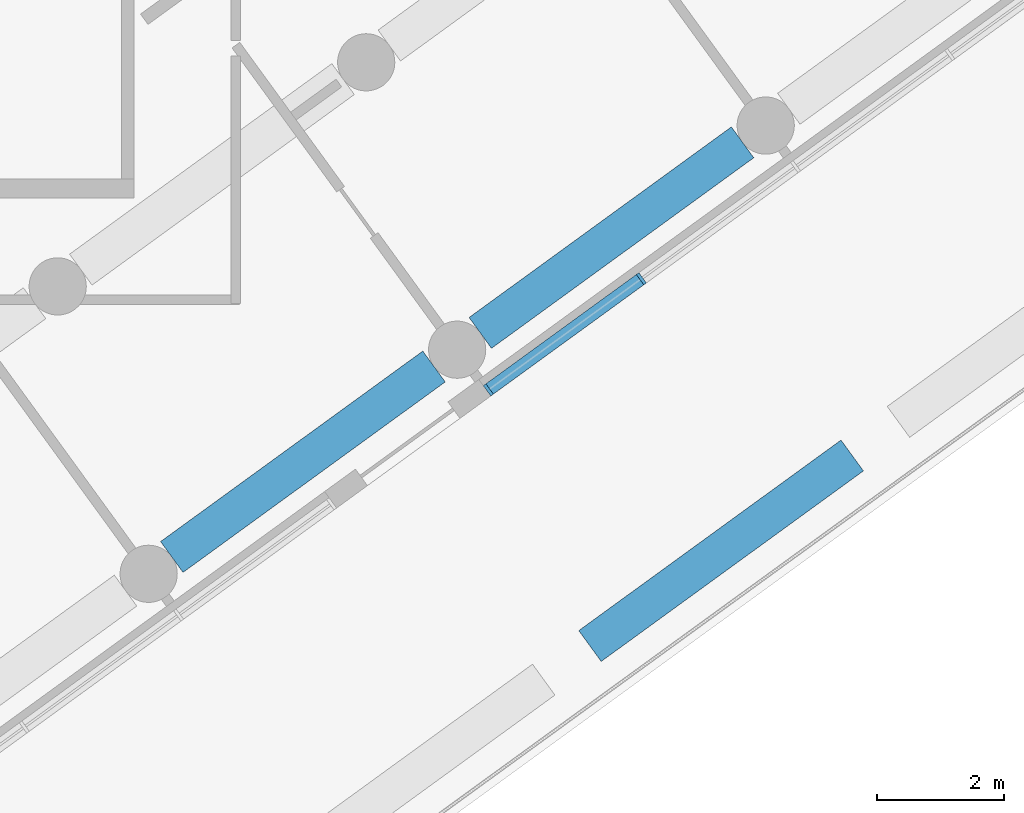
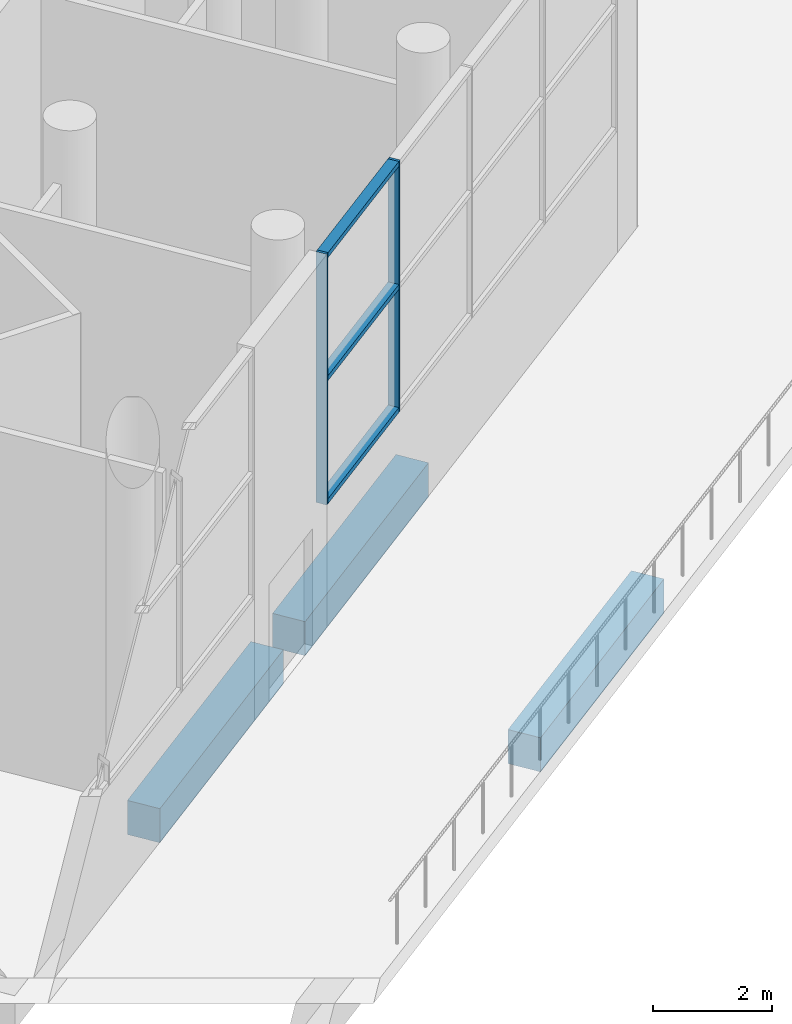
# One storey, part 6 of 23: 5 members, 3 beams, 1 element without a shape of its own.
"""IFC4 building model written with IfcOpenShell, lengths in metres."""

from ifc_helpers import new_model, si_unit, direction, frame, origin, origin_2d, place, context, subcontext, project, spatial, rectangle, extrude, material, material_profile, profile_set, type_object, element, aggregate, save


model = new_model("IFC4")

# Units and contexts
model_context = context("Model", 3, precision=1e-05, world=origin(), true_north=direction((0.0, 1.0)))
body_context = subcontext(model_context, "Body", "Model", "MODEL_VIEW")
ifc_project = project(units=[si_unit("LENGTHUNIT", "METRE"), si_unit("AREAUNIT", "SQUARE_METRE"), si_unit("VOLUMEUNIT", "CUBIC_METRE"), si_unit("PLANEANGLEUNIT", "RADIAN"), si_unit("MASSUNIT", "GRAM", prefix="KILO")], contexts=[model_context])

# Site, building, storey
site_placement = place(None, origin())
site = spatial("IfcSite", under=ifc_project, at=site_placement, CompositionType="ELEMENT")
building_placement = place(site_placement, origin())
building = spatial("IfcBuilding", under=site, at=building_placement, Name="White Candle Pilgrim Tower", CompositionType="ELEMENT")
storey_placement = place(building_placement, frame((0.0, 0.0, 15.0)))
storey = spatial("IfcBuildingStorey", under=building, at=storey_placement, Name="L02", CompositionType="ELEMENT", Elevation=15.0)

# Curtain wall, members
ifc_material_1 = material(Name="Aluminium and glass", Category="aluminium")
curtain_wall_type = type_object("IfcCurtainWallType", Name="Curtain wall CW2 prayer hall clerestory", PredefinedType="NOTDEFINED", material=ifc_material_1)
curtain_wall_placement = place(storey_placement, origin())
curtain_wall = element("IfcCurtainWall", 1, at=curtain_wall_placement, inside=storey, type_object=curtain_wall_type, Name="Curtain wall CW2 L02 SE", PredefinedType="NOTDEFINED")
ifc_material_2 = material(Name="Aluminium", Category="aluminium")
ifc_material_profile_1 = material_profile(ifc_material_2, rectangle(XDim=0.199951171875, YDim=0.050048828125, at=origin_2d()), Name="CW2 mullion 50x200")
ifc_profile_set_1 = profile_set([ifc_material_profile_1], Name="Aluminium")
member_type_1 = type_object("IfcMemberType", Name="CW2 mullion 50x200", PredefinedType="MULLION", material=ifc_profile_set_1)
member_1_placement = place(storey_placement, frame((90.57177734375, 38.27978515625, 2.5), z_axis=(0.0, 0.0, 1.0), x_axis=(-0.587785249341, 0.809016996519, 0.0)))
member_1 = element("IfcMember", 2, at=member_1_placement, type_object=member_type_1, Name="CW2 mullion 1", PredefinedType="MULLION", context=body_context, shape_type="SweptSolid", body=[
    extrude(rectangle(XDim=0.199951171875, YDim=0.050048828125, at=origin_2d()), origin(), (0.0, 0.0, 1.0), 5.14990234375),
])
member_2_placement = place(storey_placement, frame((92.978759765625, 40.0283203125, 2.5), z_axis=(0.0, 0.0, 1.0), x_axis=(-0.587785249341, 0.809016996519, 0.0)))
member_2 = element("IfcMember", 3, at=member_2_placement, type_object=member_type_1, Name="CW2 mullion 2", PredefinedType="MULLION", context=body_context, shape_type="SweptSolid", body=[
    extrude(rectangle(XDim=0.199951171875, YDim=0.050048828125, at=origin_2d()), origin(), (0.0, 0.0, 1.0), 5.14990234375),
])
ifc_material_profile_2 = material_profile(ifc_material_2, rectangle(XDim=0.199951171875, YDim=0.10009765625, at=origin_2d()), Name="CW2 transom 100x200")
ifc_profile_set_2 = profile_set([ifc_material_profile_2], Name="Aluminium")
member_type_2 = type_object("IfcMemberType", Name="CW2 transom 100x200", PredefinedType="USERDEFINED", material=ifc_profile_set_2)
member_3_placement = place(storey_placement, frame((90.592041015625, 38.29443359375, 2.550048828125), z_axis=(0.80903194638, 0.587764672073, 0.0), x_axis=(-0.587764672073, 0.80903194638, 0.0)))
member_3 = element("IfcMember", 4, at=member_3_placement, type_object=member_type_2, Name="CW2 transom 1.1", ObjectType="TRANSOM", PredefinedType="USERDEFINED", context=body_context, shape_type="SweptSolid", body=[
    extrude(rectangle(XDim=0.199951171875, YDim=0.10009765625, at=origin_2d()), origin(), (0.0, 0.0, 1.0), 2.925048828125),
])
member_4_placement = place(storey_placement, frame((90.592041015625, 38.29443359375, 5.074951171875), z_axis=(0.80903194638, 0.587764672073, 0.0), x_axis=(-0.587764672073, 0.80903194638, 0.0)))
member_4 = element("IfcMember", 5, at=member_4_placement, type_object=member_type_2, Name="CW2 transom 1.2", ObjectType="TRANSOM", PredefinedType="USERDEFINED", context=body_context, shape_type="SweptSolid", body=[
    extrude(rectangle(XDim=0.199951171875, YDim=0.10009765625, at=origin_2d()), origin(), (0.0, 0.0, 1.0), 2.925048828125),
])
member_5_placement = place(storey_placement, frame((90.592041015625, 38.29443359375, 7.60009765625), z_axis=(0.80903194638, 0.587764672073, 0.0), x_axis=(-0.587764672073, 0.80903194638, 0.0)))
member_5 = element("IfcMember", 6, at=member_5_placement, type_object=member_type_2, Name="CW2 transom 1.3", ObjectType="TRANSOM", PredefinedType="USERDEFINED", context=body_context, shape_type="SweptSolid", body=[
    extrude(rectangle(XDim=0.199951171875, YDim=0.10009765625, at=origin_2d()), origin(), (0.0, 0.0, 1.0), 2.925048828125),
])
aggregate(curtain_wall, [member_1, member_2, member_3, member_4, member_5])

# Beams
ifc_material_3 = material(Name="Concrete C50/60", Category="concrete")
ifc_material_profile_3 = material_profile(ifc_material_3, rectangle(XDim=0.60009765625, YDim=0.699951171875, at=origin_2d()), Name="RC-BM 600x700")
ifc_profile_set_3 = profile_set([ifc_material_profile_3], Name="Concrete C50/60")
beam_type = type_object("IfcBeamType", Name="Spandrel beam RC-BM 600x700 C50/60", PredefinedType="BEAM", material=ifc_profile_set_3)
beam_1_placement = place(storey_placement, frame((92.1708984375, 34.24951171875, -0.699951171875), z_axis=(0.80900095282, 0.587807330965, 0.0), x_axis=(-0.587807330965, 0.80900095282, 0.0)))
element("IfcBeam", 7, at=beam_1_placement, inside=storey, type_object=beam_type, Name="L02 spandrel beam A16", PredefinedType="BEAM", context=body_context, shape_type="SweptSolid", body=[
    extrude(rectangle(XDim=0.60009765625, YDim=0.699951171875, at=origin_2d()), origin(), (0.0, 0.0, 1.0), 5.100341796875),
])
beam_2_placement = place(storey_placement, frame((85.5908203125, 35.650390625, -0.699951171875), z_axis=(0.809069240735, 0.587713334625, 0.0), x_axis=(-0.587713334625, 0.809069240735, 0.0)))
element("IfcBeam", 8, at=beam_2_placement, inside=storey, type_object=beam_type, Name="L02 spandrel beam B13", PredefinedType="BEAM", context=body_context, shape_type="SweptSolid", body=[
    extrude(rectangle(XDim=0.60009765625, YDim=0.699951171875, at=origin_2d()), origin(), (0.0, 0.0, 1.0), 5.099853515625),
])
beam_3_placement = place(storey_placement, frame((90.44482421875, 39.17626953125, -0.699951171875), z_axis=(0.809021578494, 0.587778942742, 0.0), x_axis=(-0.587778942742, 0.809021578494, 0.0)))
element("IfcBeam", 9, at=beam_3_placement, inside=storey, type_object=beam_type, Name="L02 spandrel beam B14", PredefinedType="BEAM", context=body_context, shape_type="SweptSolid", body=[
    extrude(rectangle(XDim=0.60009765625, YDim=0.699951171875, at=origin_2d()), origin(), (0.0, 0.0, 1.0), 5.1015625),
])

save(model, "model.ifc")
